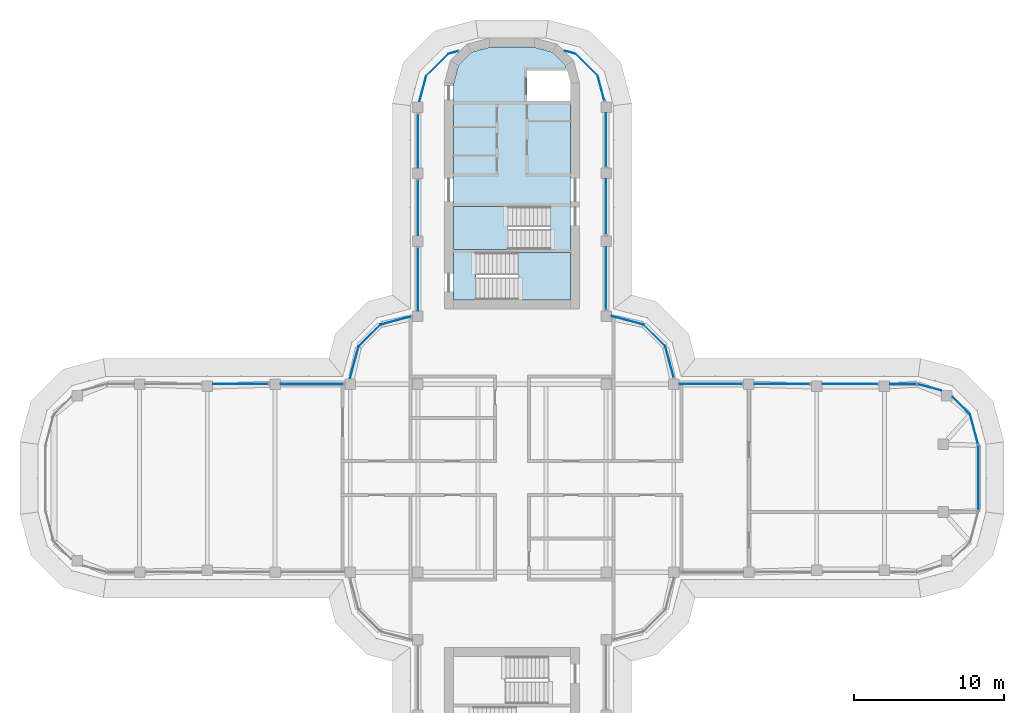
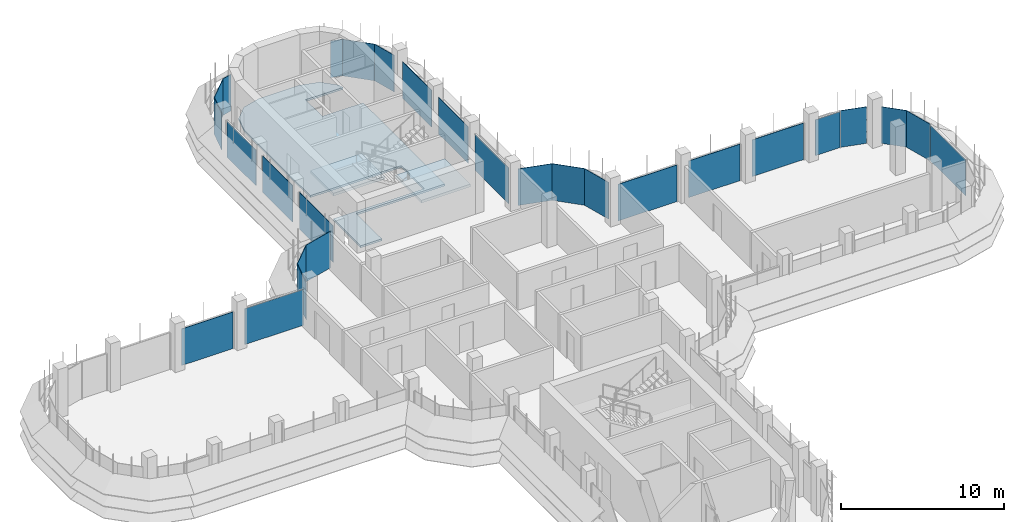
# One storey, part 12 of 19: 28 plates, 3 slabs, 22 elements without a shape of their own.
"""IFC4 building model written with IfcOpenShell, lengths in metres."""

from ifc_helpers import new_model, si_unit, direction, frame, origin, place, context, subcontext, project, spatial, polyline, outline, extrude, source, transform, mapped, material, layer, layer_set, type_object, element, aggregate, save


model = new_model("IFC4")

# Units and contexts
model_context = context("Model", 3, precision=1e-05, world=origin(), true_north=direction((0.0, 1.0)))
body_context = subcontext(model_context, "Body", "Model", "MODEL_VIEW")
ifc_project = project(units=[si_unit("LENGTHUNIT", "METRE"), si_unit("AREAUNIT", "SQUARE_METRE"), si_unit("VOLUMEUNIT", "CUBIC_METRE"), si_unit("PLANEANGLEUNIT", "RADIAN"), si_unit("MASSUNIT", "GRAM", prefix="KILO")], contexts=[model_context])

# Site, building, storey
site_placement = place(None, origin())
site = spatial("IfcSite", under=ifc_project, at=site_placement, CompositionType="ELEMENT")
building_placement = place(site_placement, origin())
building = spatial("IfcBuilding", under=site, at=building_placement, Name="Zarbagh Exchange Tower", CompositionType="ELEMENT")
storey_placement = place(building_placement, frame((0.0, 0.0, 225.800048828125)))
storey = spatial("IfcBuildingStorey", under=building, at=storey_placement, Name="L55", CompositionType="ELEMENT", Elevation=225.800048828125)

# Slab
ifc_material_1 = material(Name="Concrete C40/50", Category="concrete")
ifc_layer_1 = layer(ifc_material_1, 0.14990234375)
ifc_layer_set_1 = layer_set([ifc_layer_1], Name="Core floor slab 150 C40/50")
slab_type_1 = type_object("IfcSlabType", Name="Core floor slab 150 C40/50", PredefinedType="FLOOR", material=ifc_layer_set_1)
slab_1_placement = place(storey_placement, frame((0.0, 0.0, -0.150146484375)))
element("IfcSlab", 1, at=slab_1_placement, inside=storey, type_object=slab_type_1, Name="S17 core N", PredefinedType="FLOOR", context=body_context, shape_type="SweptSolid", body=[
    extrude(outline(polyline([(-3.89990234375, 11.85009765625), (-3.89990234375, 15.199951171875), (2.550048828125, 15.199951171875), (2.550048828125, 18.050048828125), (-3.89990234375, 18.050048828125), (-3.89990234375, 26.1708984375), (-3.56005859375, 27.439453125), (-2.689453125, 28.31005859375), (-1.4208984375, 28.64990234375), (1.4208984375, 28.64990234375), (2.689453125, 28.31005859375), (3.56005859375, 27.439453125), (3.651123046875, 27.10009765625), (1.0, 27.10009765625), (1.0, 25.050048828125), (3.89990234375, 25.050048828125), (3.89990234375, 15.0), (-2.39990234375, 15.0), (-2.39990234375, 11.85009765625), (-3.89990234375, 11.85009765625)])), origin(), (0.0, 0.0, 1.0), 0.150146484375),
])

# Stair, slab
stair_type = type_object("IfcStairType", Name="Exit stair two-flight half-turn", PredefinedType="HALF_TURN_STAIR", material=ifc_material_1)
stair_1_placement = place(storey_placement, origin())
stair_1 = element("IfcStair", 2, at=stair_1_placement, inside=storey, type_object=stair_type, Name="exit stair ST1", PredefinedType="HALF_TURN_STAIR")
ifc_layer_2 = layer(ifc_material_1, 0.199951171875)
ifc_layer_set_2 = layer_set([ifc_layer_2], Name="Stair landing 200 mm")
slab_type_2 = type_object("IfcSlabType", Name="Stair landing 200 mm", PredefinedType="LANDING", material=ifc_layer_set_2)
slab_2_placement = place(storey_placement, frame((0.0, 0.0, 1.699951171875)))
slab_2 = element("IfcSlab", 3, at=slab_2_placement, type_object=slab_type_2, Name="ST1 landing 1", PredefinedType="LANDING", context=body_context, shape_type="SweptSolid", body=[
    extrude(outline(polyline([(-0.25, 18.050048828125), (-3.89990234375, 18.050048828125), (-3.89990234375, 15.199951171875), (-0.25, 15.199951171875), (-0.25, 18.050048828125)])), origin(), (0.0, 0.0, 1.0), 0.199951171875),
])
aggregate(stair_1, [slab_2])

stair_2_placement = place(storey_placement, origin())
stair_2 = element("IfcStair", 4, at=stair_2_placement, inside=storey, type_object=stair_type, Name="exit stair ST2", PredefinedType="HALF_TURN_STAIR")
slab_3_placement = place(storey_placement, frame((0.0, 0.0, 1.699951171875)))
slab_3 = element("IfcSlab", 5, at=slab_3_placement, type_object=slab_type_2, Name="ST2 landing 1", PredefinedType="LANDING", context=body_context, shape_type="SweptSolid", body=[
    extrude(outline(polyline([(0.39990234375, 11.85009765625), (3.89990234375, 11.85009765625), (3.89990234375, 15.0), (0.39990234375, 15.0), (0.39990234375, 11.85009765625)])), origin(), (0.0, 0.0, 1.0), 0.199951171875),
])
aggregate(stair_2, [slab_3])

# Curtain wall, plate
ifc_material_2 = material(Name="Anodised aluminium frame and glazing", Category="aluminium")
curtain_wall_type = type_object("IfcCurtainWallType", Name="CWB Ribbon glazing, upper zones", PredefinedType="NOTDEFINED", material=ifc_material_2)
curtain_wall_1_placement = place(storey_placement, origin())
curtain_wall_1 = element("IfcCurtainWall", 6, at=curtain_wall_1_placement, inside=storey, type_object=curtain_wall_type, Name="CWB18 curtain wall", PredefinedType="NOTDEFINED")
ifc_material_3 = material(Name="Low-e double glazed unit, 6+12+6 mm")
ifc_layer_3 = layer(ifc_material_3, 0.031982421875)
ifc_layer_set_3 = layer_set([ifc_layer_3], Name="PAB Glazing panel, Low-e double glazed unit, 6+12+6 mm")
plate_type = type_object("IfcPlateType", Name="PAB Glazing panel, Low-e double glazed unit, 6+12+6 mm", PredefinedType="CURTAIN_PANEL", material=ifc_layer_set_3)
shared_shape_1 = source(origin(), body_context, "Body", "SweptSolid", [
    extrude(outline(polyline([(0.0, -0.01611328125), (2.061279296875, -0.01611328125), (2.061279296875, 0.01611328125), (0.0, 0.01611328125), (0.0, -0.01611328125)])), origin(), (0.0, 0.0, 1.0), 2.75),
])
placement = place(storey_placement, origin())
plate_1 = element("IfcPlate", 7, at=placement, type_object=plate_type, Name="CWB18 glazing panel 1.1", PredefinedType="CURTAIN_PANEL", context=body_context, shape_type="MappedRepresentation", body=[
    mapped(shared_shape_1, transform((10.19873046875, 8.7412109375, 0.0), x_axis=(-0.707106781187, 0.707106781187, 0.0), y_axis=(-0.707106781187, -0.707106781187, 0.0), z_axis=(0.0, 0.0, 1.0))),
])
aggregate(curtain_wall_1, [plate_1])

curtain_wall_2_placement = place(storey_placement, origin())
curtain_wall_2 = element("IfcCurtainWall", 8, at=curtain_wall_2_placement, inside=storey, type_object=curtain_wall_type, Name="CWB74 curtain wall", PredefinedType="NOTDEFINED")
plate_2 = element("IfcPlate", 9, at=placement, type_object=plate_type, Name="CWB74 glazing panel 1.1", PredefinedType="CURTAIN_PANEL", context=body_context, shape_type="MappedRepresentation", body=[
    mapped(shared_shape_1, transform((5.69873046875, 26.7412109375, 0.0), x_axis=(-0.707106781187, 0.707106781187, 0.0), y_axis=(-0.707106781187, -0.707106781187, 0.0), z_axis=(0.0, 0.0, 1.0))),
])
aggregate(curtain_wall_2, [plate_2])

curtain_wall_3_placement = place(storey_placement, origin())
curtain_wall_3 = element("IfcCurtainWall", 10, at=curtain_wall_3_placement, inside=storey, type_object=curtain_wall_type, Name="CWB71 curtain wall", PredefinedType="NOTDEFINED")
plate_3 = element("IfcPlate", 11, at=placement, type_object=plate_type, Name="CWB71 glazing panel 1.1", PredefinedType="CURTAIN_PANEL", context=body_context, shape_type="MappedRepresentation", body=[
    mapped(shared_shape_1, transform((-4.2412109375, 28.19873046875, 0.0), x_axis=(-0.707106781187, -0.707106781187, 0.0), y_axis=(0.707106781187, -0.707106781187, 0.0), z_axis=(0.0, 0.0, 1.0))),
])
aggregate(curtain_wall_3, [plate_3])

curtain_wall_4_placement = place(storey_placement, origin())
curtain_wall_4 = element("IfcCurtainWall", 12, at=curtain_wall_4_placement, inside=storey, type_object=curtain_wall_type, Name="CWB30 curtain wall", PredefinedType="NOTDEFINED")
plate_4 = element("IfcPlate", 13, at=placement, type_object=plate_type, Name="CWB30 glazing panel 1.1", PredefinedType="CURTAIN_PANEL", context=body_context, shape_type="MappedRepresentation", body=[
    mapped(shared_shape_1, transform((-8.7412109375, 10.19873046875, 0.0), x_axis=(-0.707106781187, -0.707106781187, 0.0), y_axis=(0.707106781187, -0.707106781187, 0.0), z_axis=(0.0, 0.0, 1.0))),
])
aggregate(curtain_wall_4, [plate_4])

curtain_wall_5_placement = place(storey_placement, origin())
curtain_wall_5 = element("IfcCurtainWall", 14, at=curtain_wall_5_placement, inside=storey, type_object=curtain_wall_type, Name="CWB67 curtain wall", PredefinedType="NOTDEFINED")
shared_shape_2 = source(origin(), body_context, "Body", "SweptSolid", [
    extrude(outline(polyline([(0.0, -0.01611328125), (3.56005859375, -0.01611328125), (3.56005859375, 0.01611328125), (0.0, 0.01611328125), (0.0, -0.01611328125)])), origin(), (0.0, 0.0, 1.0), 2.75),
])
plate_5 = element("IfcPlate", 15, at=placement, type_object=plate_type, Name="CWB67 glazing panel 3.1", PredefinedType="CURTAIN_PANEL", context=body_context, shape_type="MappedRepresentation", body=[
    mapped(shared_shape_2, transform((6.25, 20.699951171875, 0.0), x_axis=(0.0, 1.0, 0.0), y_axis=(-1.0, 0.0, 0.0), z_axis=(0.0, 0.0, 1.0))),
])

curtain_wall_6_placement = place(storey_placement, origin())
curtain_wall_6 = element("IfcCurtainWall", 16, at=curtain_wall_6_placement, inside=storey, type_object=curtain_wall_type, Name="CWB12 curtain wall", PredefinedType="NOTDEFINED")
shared_shape_3 = source(origin(), body_context, "Body", "SweptSolid", [
    extrude(outline(polyline([(0.0, -0.01611328125), (4.308349609375, -0.01611328125), (4.308349609375, 0.01611328125), (0.0, 0.01611328125), (0.0, -0.01611328125)])), origin(), (0.0, 0.0, 1.0), 2.68994140625),
])
plate_6 = element("IfcPlate", 17, at=placement, type_object=plate_type, Name="CWB12 glazing panel 1.1", PredefinedType="CURTAIN_PANEL", context=body_context, shape_type="MappedRepresentation", body=[
    mapped(shared_shape_3, transform((31.0, -2.124267578125, 0.0), x_axis=(0.0, 1.0, 0.0), y_axis=(-1.0, 0.0, 0.0), z_axis=(0.0, 0.0, 1.0))),
])
aggregate(curtain_wall_6, [plate_6])

curtain_wall_7_placement = place(storey_placement, origin())
curtain_wall_7 = element("IfcCurtainWall", 18, at=curtain_wall_7_placement, inside=storey, type_object=curtain_wall_type, Name="CWB13 curtain wall", PredefinedType="NOTDEFINED")
shared_shape_4 = source(origin(), body_context, "Body", "SweptSolid", [
    extrude(outline(polyline([(0.0, -0.01611328125), (2.069580078125, -0.01611328125), (2.069580078125, 0.01611328125), (0.0, 0.01611328125), (0.0, -0.01611328125)])), origin(), (0.0, 0.0, 1.0), 2.75),
])
plate_7 = element("IfcPlate", 19, at=placement, type_object=plate_type, Name="CWB13 glazing panel 1.1", PredefinedType="CURTAIN_PANEL", context=body_context, shape_type="MappedRepresentation", body=[
    mapped(shared_shape_4, transform((30.984375, 2.2421875, 0.0), x_axis=(-0.258824779902, 0.965924289636, 0.0), y_axis=(-0.965924289636, -0.258824779902, 0.0), z_axis=(0.0, 0.0, 1.0))),
])
aggregate(curtain_wall_7, [plate_7])

curtain_wall_8_placement = place(storey_placement, origin())
curtain_wall_8 = element("IfcCurtainWall", 20, at=curtain_wall_8_placement, inside=storey, type_object=curtain_wall_type, Name="CWB73 curtain wall", PredefinedType="NOTDEFINED")
shared_shape_5 = source(origin(), body_context, "Body", "SweptSolid", [
    extrude(outline(polyline([(0.0, -0.01611328125), (3.56005859375, -0.01611328125), (3.56005859375, 0.01611328125), (0.0, 0.01611328125), (0.0, -0.01611328125)])), origin(), (0.0, 0.0, 1.0), 2.68994140625),
])
plate_8 = element("IfcPlate", 21, at=placement, type_object=plate_type, Name="CWB73 glazing panel 1.1", PredefinedType="CURTAIN_PANEL", context=body_context, shape_type="MappedRepresentation", body=[
    mapped(shared_shape_5, transform((-6.25, 24.199951171875, 0.0), x_axis=(0.0, -1.0, 0.0), y_axis=(1.0, 0.0, 0.0), z_axis=(0.0, 0.0, 1.0))),
])

curtain_wall_9_placement = place(storey_placement, origin())
curtain_wall_9 = element("IfcCurtainWall", 22, at=curtain_wall_9_placement, inside=storey, type_object=curtain_wall_type, Name="CWB72 curtain wall", PredefinedType="NOTDEFINED")
shared_shape_6 = source(origin(), body_context, "Body", "SweptSolid", [
    extrude(outline(polyline([(0.0, -0.01611328125), (1.76123046875, -0.01611328125), (1.76123046875, 0.01611328125), (0.0, 0.01611328125), (0.0, -0.01611328125)])), origin(), (0.0, 0.0, 1.0), 2.75),
])
plate_9 = element("IfcPlate", 23, at=placement, type_object=plate_type, Name="CWB72 glazing panel 1.1", PredefinedType="CURTAIN_PANEL", context=body_context, shape_type="MappedRepresentation", body=[
    mapped(shared_shape_6, transform((-5.69873046875, 26.7412109375, 0.0), x_axis=(-0.258824779902, -0.965924289636, 0.0), y_axis=(0.965924289636, -0.258824779902, 0.0), z_axis=(0.0, 0.0, 1.0))),
])
aggregate(curtain_wall_9, [plate_9])

# Curtain wall, plates
curtain_wall_10_placement = place(storey_placement, origin())
curtain_wall_10 = element("IfcCurtainWall", 24, at=curtain_wall_10_placement, inside=storey, type_object=curtain_wall_type, Name="CWB16 curtain wall", PredefinedType="NOTDEFINED")
shared_shape_7 = source(origin(), body_context, "Body", "SweptSolid", [
    extrude(outline(polyline([(0.0, -0.01611328125), (3.659912109375, -0.01611328125), (3.659912109375, 0.01611328125), (0.0, 0.01611328125), (0.0, -0.01611328125)])), origin(), (0.0, 0.0, 1.0), 2.75),
])
plate_10 = element("IfcPlate", 25, at=placement, type_object=plate_type, Name="CWB16 glazing panel 2.1", PredefinedType="CURTAIN_PANEL", context=body_context, shape_type="MappedRepresentation", body=[
    mapped(shared_shape_7, transform((24.300048828125, 6.25, 0.0), x_axis=(-1.0, 0.0, 0.0), y_axis=(0.0, -1.0, 0.0), z_axis=(0.0, 0.0, 1.0))),
])
plate_11 = element("IfcPlate", 26, at=placement, type_object=plate_type, Name="CWB16 glazing panel 3.1", PredefinedType="CURTAIN_PANEL", context=body_context, shape_type="MappedRepresentation", body=[
    mapped(shared_shape_7, transform((19.800048828125, 6.25, 0.0), x_axis=(-1.0, 0.0, 0.0), y_axis=(0.0, -1.0, 0.0), z_axis=(0.0, 0.0, 1.0))),
])

# Plate
plate_12 = element("IfcPlate", 27, at=placement, type_object=plate_type, Name="CWB67 glazing panel 2.1", PredefinedType="CURTAIN_PANEL", context=body_context, shape_type="MappedRepresentation", body=[
    mapped(shared_shape_7, transform((6.25, 16.199951171875, 0.0), x_axis=(0.0, 1.0, 0.0), y_axis=(-1.0, 0.0, 0.0), z_axis=(0.0, 0.0, 1.0))),
])

plate_13 = element("IfcPlate", 28, at=placement, type_object=plate_type, Name="CWB73 glazing panel 2.1", PredefinedType="CURTAIN_PANEL", context=body_context, shape_type="MappedRepresentation", body=[
    mapped(shared_shape_7, transform((-6.25, 19.800048828125, 0.0), x_axis=(0.0, -1.0, 0.0), y_axis=(1.0, 0.0, 0.0), z_axis=(0.0, 0.0, 1.0))),
])

# Curtain wall, plate
curtain_wall_11_placement = place(storey_placement, origin())
curtain_wall_11 = element("IfcCurtainWall", 29, at=curtain_wall_11_placement, inside=storey, type_object=curtain_wall_type, Name="CWB58 curtain wall", PredefinedType="NOTDEFINED")
plate_14 = element("IfcPlate", 30, at=placement, type_object=plate_type, Name="CWB58 glazing panel 2.1", PredefinedType="CURTAIN_PANEL", context=body_context, shape_type="MappedRepresentation", body=[
    mapped(shared_shape_7, transform((-16.199951171875, 6.25, 0.0), x_axis=(-1.0, 0.0, 0.0), y_axis=(0.0, -1.0, 0.0), z_axis=(0.0, 0.0, 1.0))),
])

# Plate
shared_shape_8 = source(origin(), body_context, "Body", "SweptSolid", [
    extrude(outline(polyline([(0.0, -0.01611328125), (4.159912109375, -0.01611328125), (4.159912109375, 0.01611328125), (0.0, 0.01611328125), (0.0, -0.01611328125)])), origin(), (0.0, 0.0, 1.0), 2.75),
])
plate_15 = element("IfcPlate", 31, at=placement, type_object=plate_type, Name="CWB16 glazing panel 4.1", PredefinedType="CURTAIN_PANEL", context=body_context, shape_type="MappedRepresentation", body=[
    mapped(shared_shape_8, transform((15.300048828125, 6.25, 0.0), x_axis=(-1.0, 0.0, 0.0), y_axis=(0.0, -1.0, 0.0), z_axis=(0.0, 0.0, 1.0))),
])

plate_16 = element("IfcPlate", 32, at=placement, type_object=plate_type, Name="CWB73 glazing panel 3.1", PredefinedType="CURTAIN_PANEL", context=body_context, shape_type="MappedRepresentation", body=[
    mapped(shared_shape_8, transform((-6.25, 15.300048828125, 0.0), x_axis=(0.0, -1.0, 0.0), y_axis=(1.0, 0.0, 0.0), z_axis=(0.0, 0.0, 1.0))),
])

aggregate(curtain_wall_8, [plate_8, plate_13, plate_16])

# Curtain wall, plate
curtain_wall_12_placement = place(storey_placement, origin())
curtain_wall_12 = element("IfcCurtainWall", 33, at=curtain_wall_12_placement, inside=storey, type_object=curtain_wall_type, Name="CWB17 curtain wall", PredefinedType="NOTDEFINED")
shared_shape_9 = source(origin(), body_context, "Body", "SweptSolid", [
    extrude(outline(polyline([(0.0, -0.01611328125), (2.115234375, -0.01611328125), (2.115234375, 0.01611328125), (0.0, 0.01611328125), (0.0, -0.01611328125)])), origin(), (0.0, 0.0, 1.0), 2.75),
])
plate_17 = element("IfcPlate", 34, at=placement, type_object=plate_type, Name="CWB17 glazing panel 1.1", PredefinedType="CURTAIN_PANEL", context=body_context, shape_type="MappedRepresentation", body=[
    mapped(shared_shape_9, transform((10.746337890625, 6.697998046875, 0.0), x_axis=(-0.258824779902, 0.965924289636, 0.0), y_axis=(-0.965924289636, -0.258824779902, 0.0), z_axis=(0.0, 0.0, 1.0))),
])
aggregate(curtain_wall_12, [plate_17])

curtain_wall_13_placement = place(storey_placement, origin())
curtain_wall_13 = element("IfcCurtainWall", 35, at=curtain_wall_13_placement, inside=storey, type_object=curtain_wall_type, Name="CWB29 curtain wall", PredefinedType="NOTDEFINED")
plate_18 = element("IfcPlate", 36, at=placement, type_object=plate_type, Name="CWB29 glazing panel 1.1", PredefinedType="CURTAIN_PANEL", context=body_context, shape_type="MappedRepresentation", body=[
    mapped(shared_shape_9, transform((-6.697998046875, 10.746337890625, 0.0), x_axis=(-0.965924289636, -0.258824779902, 0.0), y_axis=(0.258824779902, -0.965924289636, 0.0), z_axis=(0.0, 0.0, 1.0))),
])
aggregate(curtain_wall_13, [plate_18])

curtain_wall_14_placement = place(storey_placement, origin())
curtain_wall_14 = element("IfcCurtainWall", 37, at=curtain_wall_14_placement, inside=storey, type_object=curtain_wall_type, Name="CWB19 curtain wall", PredefinedType="NOTDEFINED")
shared_shape_10 = source(origin(), body_context, "Body", "SweptSolid", [
    extrude(outline(polyline([(0.0, -0.01611328125), (2.17529296875, -0.01611328125), (2.17529296875, 0.01611328125), (0.0, 0.01611328125), (0.0, -0.01611328125)])), origin(), (0.0, 0.0, 1.0), 2.75),
])
plate_19 = element("IfcPlate", 38, at=placement, type_object=plate_type, Name="CWB19 glazing panel 1.1", PredefinedType="CURTAIN_PANEL", context=body_context, shape_type="MappedRepresentation", body=[
    mapped(shared_shape_10, transform((8.7412109375, 10.19873046875, 0.0), x_axis=(-0.965924289636, 0.258824779902, 0.0), y_axis=(-0.258824779902, -0.965924289636, 0.0), z_axis=(0.0, 0.0, 1.0))),
])
aggregate(curtain_wall_14, [plate_19])

curtain_wall_15_placement = place(storey_placement, origin())
curtain_wall_15 = element("IfcCurtainWall", 39, at=curtain_wall_15_placement, inside=storey, type_object=curtain_wall_type, Name="CWB31 curtain wall", PredefinedType="NOTDEFINED")
plate_20 = element("IfcPlate", 40, at=placement, type_object=plate_type, Name="CWB31 glazing panel 1.1", PredefinedType="CURTAIN_PANEL", context=body_context, shape_type="MappedRepresentation", body=[
    mapped(shared_shape_10, transform((-10.19873046875, 8.7412109375, 0.0), x_axis=(-0.258824779902, -0.965924289636, 0.0), y_axis=(0.965924289636, -0.258824779902, 0.0), z_axis=(0.0, 0.0, 1.0))),
])
aggregate(curtain_wall_15, [plate_20])

# Plate
shared_shape_11 = source(origin(), body_context, "Body", "SweptSolid", [
    extrude(outline(polyline([(0.0, -0.01611328125), (4.159912109375, -0.01611328125), (4.159912109375, 0.01611328125), (0.0, 0.01611328125), (0.0, -0.01611328125)])), origin(), (0.0, 0.0, 1.0), 2.68994140625),
])
plate_21 = element("IfcPlate", 41, at=placement, type_object=plate_type, Name="CWB67 glazing panel 1.1", PredefinedType="CURTAIN_PANEL", context=body_context, shape_type="MappedRepresentation", body=[
    mapped(shared_shape_11, transform((6.25, 11.199951171875, 0.0), x_axis=(0.0, 1.0, 0.0), y_axis=(-1.0, 0.0, 0.0), z_axis=(0.0, 0.0, 1.0))),
])

aggregate(curtain_wall_5, [plate_21, plate_12, plate_5])

plate_22 = element("IfcPlate", 42, at=placement, type_object=plate_type, Name="CWB58 glazing panel 1.1", PredefinedType="CURTAIN_PANEL", context=body_context, shape_type="MappedRepresentation", body=[
    mapped(shared_shape_11, transform((-11.199951171875, 6.25, 0.0), x_axis=(-1.0, 0.0, 0.0), y_axis=(0.0, -1.0, 0.0), z_axis=(0.0, 0.0, 1.0))),
])

aggregate(curtain_wall_11, [plate_22, plate_14])

# Curtain wall, plate
curtain_wall_16_placement = place(storey_placement, origin())
curtain_wall_16 = element("IfcCurtainWall", 43, at=curtain_wall_16_placement, inside=storey, type_object=curtain_wall_type, Name="CWB14 curtain wall", PredefinedType="NOTDEFINED")
shared_shape_12 = source(origin(), body_context, "Body", "SweptSolid", [
    extrude(outline(polyline([(0.0, -0.01611328125), (1.62744140625, -0.01611328125), (1.62744140625, 0.01611328125), (0.0, 0.01611328125), (0.0, -0.01611328125)])), origin(), (0.0, 0.0, 1.0), 2.75),
])
plate_23 = element("IfcPlate", 44, at=placement, type_object=plate_type, Name="CWB14 glazing panel 1.1", PredefinedType="CURTAIN_PANEL", context=body_context, shape_type="MappedRepresentation", body=[
    mapped(shared_shape_12, transform((30.44873046875, 4.2412109375, 0.0), x_axis=(-0.707106781187, 0.707106781187, 0.0), y_axis=(-0.707106781187, -0.707106781187, 0.0), z_axis=(0.0, 0.0, 1.0))),
])
aggregate(curtain_wall_16, [plate_23])

curtain_wall_17_placement = place(storey_placement, origin())
curtain_wall_17 = element("IfcCurtainWall", 45, at=curtain_wall_17_placement, inside=storey, type_object=curtain_wall_type, Name="CWB15 curtain wall", PredefinedType="NOTDEFINED")
shared_shape_13 = source(origin(), body_context, "Body", "SweptSolid", [
    extrude(outline(polyline([(0.0, -0.01611328125), (1.6396484375, -0.01611328125), (1.6396484375, 0.01611328125), (0.0, 0.01611328125), (0.0, -0.01611328125)])), origin(), (0.0, 0.0, 1.0), 2.75),
])
plate_24 = element("IfcPlate", 46, at=placement, type_object=plate_type, Name="CWB15 glazing panel 1.1", PredefinedType="CURTAIN_PANEL", context=body_context, shape_type="MappedRepresentation", body=[
    mapped(shared_shape_13, transform((28.51806640625, 5.82568359375, 0.0), x_axis=(-0.965924289636, 0.258824779902, 0.0), y_axis=(-0.258824779902, -0.965924289636, 0.0), z_axis=(0.0, 0.0, 1.0))),
])
aggregate(curtain_wall_17, [plate_24])

# Plate
shared_shape_14 = source(origin(), body_context, "Body", "SweptSolid", [
    extrude(outline(polyline([(0.0, -0.01611328125), (1.734130859375, -0.01611328125), (1.734130859375, 0.01611328125), (0.0, 0.01611328125), (0.0, -0.01611328125)])), origin(), (0.0, 0.0, 1.0), 2.68994140625),
])
plate_25 = element("IfcPlate", 47, at=placement, type_object=plate_type, Name="CWB16 glazing panel 1.1", PredefinedType="CURTAIN_PANEL", context=body_context, shape_type="MappedRepresentation", body=[
    mapped(shared_shape_14, transform((26.874267578125, 6.25, 0.0), x_axis=(-1.0, 0.0, 0.0), y_axis=(0.0, -1.0, 0.0), z_axis=(0.0, 0.0, 1.0))),
])

aggregate(curtain_wall_10, [plate_25, plate_10, plate_11, plate_15])

# Curtain wall, plate
curtain_wall_18_placement = place(storey_placement, origin())
curtain_wall_18 = element("IfcCurtainWall", 48, at=curtain_wall_18_placement, inside=storey, type_object=curtain_wall_type, Name="CWB68 curtain wall", PredefinedType="NOTDEFINED")
shared_shape_15 = source(origin(), body_context, "Body", "SweptSolid", [
    extrude(outline(polyline([(0.0, -0.01611328125), (1.701171875, -0.01611328125), (1.701171875, 0.01611328125), (0.0, 0.01611328125), (0.0, -0.01611328125)])), origin(), (0.0, 0.0, 1.0), 2.75),
])
plate_26 = element("IfcPlate", 49, at=placement, type_object=plate_type, Name="CWB68 glazing panel 1.1", PredefinedType="CURTAIN_PANEL", context=body_context, shape_type="MappedRepresentation", body=[
    mapped(shared_shape_15, transform((6.13916015625, 25.097900390625, 0.0), x_axis=(-0.258824779902, 0.965924289636, 0.0), y_axis=(-0.965924289636, -0.258824779902, 0.0), z_axis=(0.0, 0.0, 1.0))),
])
aggregate(curtain_wall_18, [plate_26])

curtain_wall_19_placement = place(storey_placement, origin())
curtain_wall_19 = element("IfcCurtainWall", 50, at=curtain_wall_19_placement, inside=storey, type_object=curtain_wall_type, Name="CWB69 curtain wall", PredefinedType="NOTDEFINED")
shared_shape_16 = source(origin(), body_context, "Body", "SweptSolid", [
    extrude(outline(polyline([(0.0, -0.01611328125), (0.757080078125, -0.01611328125), (0.757080078125, 0.01611328125), (0.0, 0.01611328125), (0.0, -0.01611328125)])), origin(), (0.0, 0.0, 1.0), 2.75),
])
plate_27 = element("IfcPlate", 51, at=placement, type_object=plate_type, Name="CWB69 glazing panel 1.1", PredefinedType="CURTAIN_PANEL", context=body_context, shape_type="MappedRepresentation", body=[
    mapped(shared_shape_16, transform((4.2412109375, 28.19873046875, 0.0), x_axis=(-0.965924289636, 0.258824779902, 0.0), y_axis=(-0.258824779902, -0.965924289636, 0.0), z_axis=(0.0, 0.0, 1.0))),
])
aggregate(curtain_wall_19, [plate_27])

curtain_wall_20_placement = place(storey_placement, origin())
curtain_wall_20 = element("IfcCurtainWall", 52, at=curtain_wall_20_placement, inside=storey, type_object=curtain_wall_type, Name="CWB70 curtain wall", PredefinedType="NOTDEFINED")
shared_shape_17 = source(origin(), body_context, "Body", "SweptSolid", [
    extrude(outline(polyline([(0.0, -0.01611328125), (0.697021484375, -0.01611328125), (0.697021484375, 0.01611328125), (0.0, 0.01611328125), (0.0, -0.01611328125)])), origin(), (0.0, 0.0, 1.0), 2.75),
])
plate_28 = element("IfcPlate", 53, at=placement, type_object=plate_type, Name="CWB70 glazing panel 1.1", PredefinedType="CURTAIN_PANEL", context=body_context, shape_type="MappedRepresentation", body=[
    mapped(shared_shape_17, transform((-3.56787109375, 28.379150390625, 0.0), x_axis=(-0.965924289636, -0.258824779902, 0.0), y_axis=(0.258824779902, -0.965924289636, 0.0), z_axis=(0.0, 0.0, 1.0))),
])
aggregate(curtain_wall_20, [plate_28])

save(model, "model.ifc")
